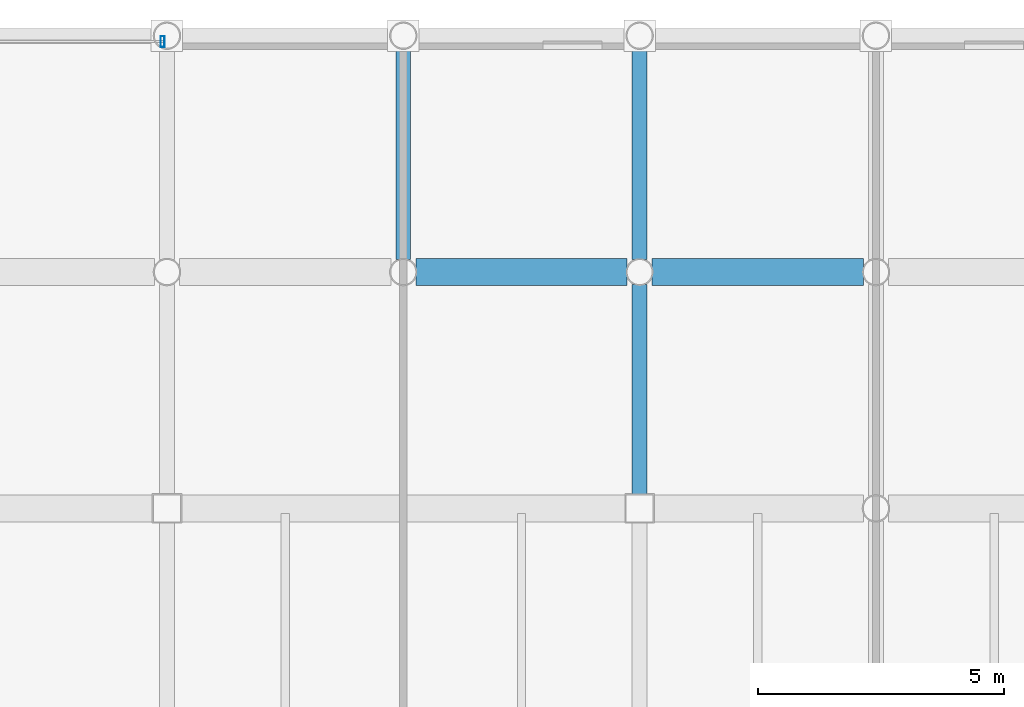
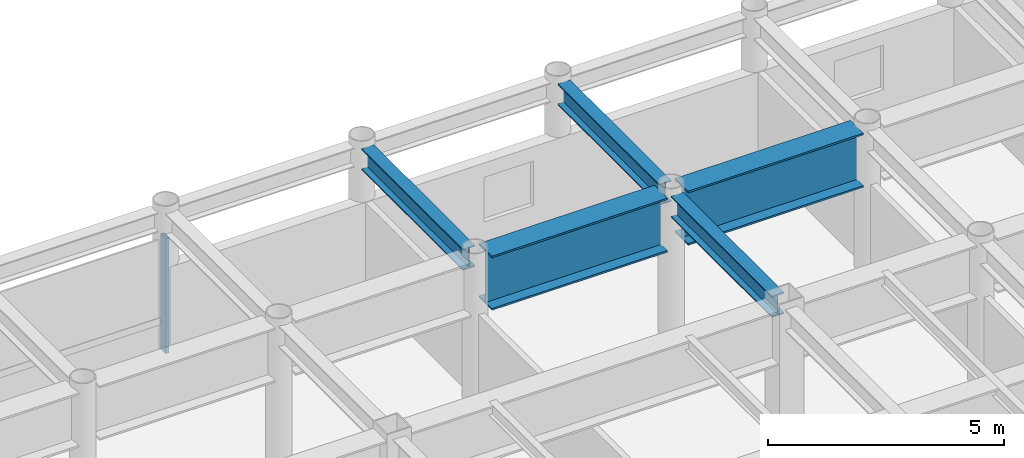
# One storey, part 16 of 26: 5 beams, 1 member, 1 element without a shape of its own.
"""IFC4 building model written with IfcOpenShell, lengths in metres."""

from ifc_helpers import new_model, si_unit, direction, frame, origin, origin_2d, place, context, subcontext, project, spatial, hollow_rectangle, i_section, extrude, material, layer, layer_set, material_profile, profile_set, type_object, element, aggregate, save


model = new_model("IFC4")

# Units and contexts
model_context = context("Model", 3, precision=1e-05, world=origin(), true_north=direction((0.0, 1.0)))
body_context = subcontext(model_context, "Body", "Model", "MODEL_VIEW")
ifc_project = project(units=[si_unit("LENGTHUNIT", "METRE"), si_unit("AREAUNIT", "SQUARE_METRE"), si_unit("VOLUMEUNIT", "CUBIC_METRE"), si_unit("PLANEANGLEUNIT", "RADIAN"), si_unit("MASSUNIT", "GRAM", prefix="KILO")], contexts=[model_context])

# Site, building, storey
site_placement = place(None, origin())
site = spatial("IfcSite", under=ifc_project, at=site_placement, CompositionType="ELEMENT")
building_placement = place(site_placement, origin())
building = spatial("IfcBuilding", under=site, at=building_placement, Name="Kallvorn Hotel Tower", CompositionType="ELEMENT")
storey_placement = place(building_placement, frame((0.0, 0.0, 222.300048828125)))
storey = spatial("IfcBuildingStorey", under=building, at=storey_placement, Name="L55", CompositionType="ELEMENT", Elevation=222.300048828125)

# Beams
ifc_material_1 = material(Name="Structural steel S355JR", Category="steel")
ifc_material_profile_1 = material_profile(ifc_material_1, i_section(OverallWidth=0.300048828125, OverallDepth=0.550048828125, WebThickness=0.014892578125, FlangeThickness=0.029052734375, at=origin_2d()), Name="HE 550 B")
ifc_profile_set_1 = profile_set([ifc_material_profile_1], Name="Structural steel S355JR")
beam_type_1 = type_object("IfcBeamType", Name="BM_HE550B", PredefinedType="SPANDREL", material=ifc_profile_set_1)
beam_1_placement = place(storey_placement, frame((9.60009765625, 19.45458984375, 3.39501953125), z_axis=(0.0, 1.0, 0.0), x_axis=(-1.0, 0.0, 0.0)))
element("IfcBeam", 1, at=beam_1_placement, inside=storey, type_object=beam_type_1, Name="L56 Primary Y-Girder 120", PredefinedType="SPANDREL", context=body_context, shape_type="SweptSolid", body=[
    extrude(i_section(OverallWidth=0.300048828125, OverallDepth=0.550048828125, WebThickness=0.014892578125, FlangeThickness=0.029052734375, at=origin_2d()), origin(), (0.0, 0.0, 1.0), 4.291015625),
])
beam_2_placement = place(storey_placement, frame((14.39990234375, 14.675048828125, 3.39501953125), z_axis=(0.0, 1.0, 0.0), x_axis=(-1.0, 0.0, 0.0)))
element("IfcBeam", 2, at=beam_2_placement, inside=storey, type_object=beam_type_1, Name="L56 Primary Y-Girder 124", PredefinedType="SPANDREL", context=body_context, shape_type="SweptSolid", body=[
    extrude(i_section(OverallWidth=0.300048828125, OverallDepth=0.550048828125, WebThickness=0.014892578125, FlangeThickness=0.029052734375, at=origin_2d()), origin(), (0.0, 0.0, 1.0), 4.2705078125),
])
beam_3_placement = place(storey_placement, frame((14.39990234375, 19.45458984375, 3.39501953125), z_axis=(0.0, 1.0, 0.0), x_axis=(-1.0, 0.0, 0.0)))
element("IfcBeam", 3, at=beam_3_placement, inside=storey, type_object=beam_type_1, Name="L56 Primary Y-Girder 125", PredefinedType="SPANDREL", context=body_context, shape_type="SweptSolid", body=[
    extrude(i_section(OverallWidth=0.300048828125, OverallDepth=0.550048828125, WebThickness=0.014892578125, FlangeThickness=0.029052734375, at=origin_2d()), origin(), (0.0, 0.0, 1.0), 4.291015625),
])
ifc_material_2 = material(Name="Structural steel S355JR", Category="steel")
ifc_material_profile_2 = material_profile(ifc_material_2, i_section(OverallWidth=0.550048828125, OverallDepth=1.39990234375, WebThickness=0.02490234375, FlangeThickness=0.044921875, at=origin_2d()), Name="PG 1400x550x25x45")
ifc_profile_set_2 = profile_set([ifc_material_profile_2], Name="Structural steel S355JR")
beam_type_2 = type_object("IfcBeamType", Name="BM_PG_1400", PredefinedType="BEAM", material=ifc_profile_set_2)
for number, where, z_axis, x_axis, name in (
    (4, (9.8544921875, 19.199951171875, 2.969970703125), (1.0, 0.0, 0.0), (0.0, 1.0, 0.0), "L56 Primary X-Girder 68"),
    (5, (14.654541015625, 19.199951171875, 2.969970703125), (1.0, 0.0, 0.0), (0.0, 1.0, 0.0), "L56 Primary X-Girder 69"),
):
    element("IfcBeam", number, at=place(storey_placement, frame(where, z_axis=z_axis, x_axis=x_axis)), inside=storey, type_object=beam_type_2, Name=name, PredefinedType="BEAM", context=body_context, shape_type="SweptSolid", body=[
        extrude(i_section(OverallWidth=0.550048828125, OverallDepth=1.39990234375, WebThickness=0.02490234375, FlangeThickness=0.044921875, at=origin_2d()), origin(), (0.0, 0.0, 1.0), 4.291015625),
    ])

# Curtain wall, member
ifc_material_3 = material(Name="Thermally broken black-anodised aluminium AA 6063-T6", Category="aluminium")
ifc_layer = layer(ifc_material_3, 0.22998046875)
ifc_layer_set = layer_set([ifc_layer], Name="CW_SYS_5_HOTEL_HIGH")
curtain_wall_type = type_object("IfcCurtainWallType", Name="CW_SYS_5_HOTEL_HIGH", PredefinedType="USERDEFINED", material=ifc_layer_set)
curtain_wall_placement = place(storey_placement, origin())
curtain_wall = element("IfcCurtainWall", 6, at=curtain_wall_placement, inside=storey, type_object=curtain_wall_type, Name="L55 Dark-Glass Curtain Wall CW-L55-NC", ObjectType="UNITISED CURTAIN WALL", PredefinedType="USERDEFINED")
ifc_material_4 = material(Name="Thermally broken black-anodised aluminium AA 6063-T6", Category="aluminium")
ifc_material_profile_3 = material_profile(ifc_material_4, hollow_rectangle(XDim=0.080078125, YDim=0.219970703125, WallThickness=0.0048828125, at=origin_2d()), Name="MUL 220x80")
ifc_profile_set_3 = profile_set([ifc_material_profile_3], Name="Thermally broken black-anodised aluminium AA 6063-T6")
member_type = type_object("IfcMemberType", Name="CW_MULLION_220x80", PredefinedType="MULLION", material=ifc_profile_set_3)
member_placement = place(storey_placement, frame((4.7099609375, 23.8798828125, 0.02001953125), z_axis=(0.0, 0.0, 1.0), x_axis=(1.0, 0.0, 0.0)))
member = element("IfcMember", 7, at=member_placement, type_object=member_type, Name="CW-L55-NC Mullion 02", PredefinedType="MULLION", context=body_context, shape_type="SweptSolid", body=[
    extrude(hollow_rectangle(XDim=0.080078125, YDim=0.219970703125, WallThickness=0.0048828125, at=origin_2d()), origin(), (0.0, 0.0, 1.0), 2.97998046875),
])
aggregate(curtain_wall, [member])

save(model, "model.ifc")
